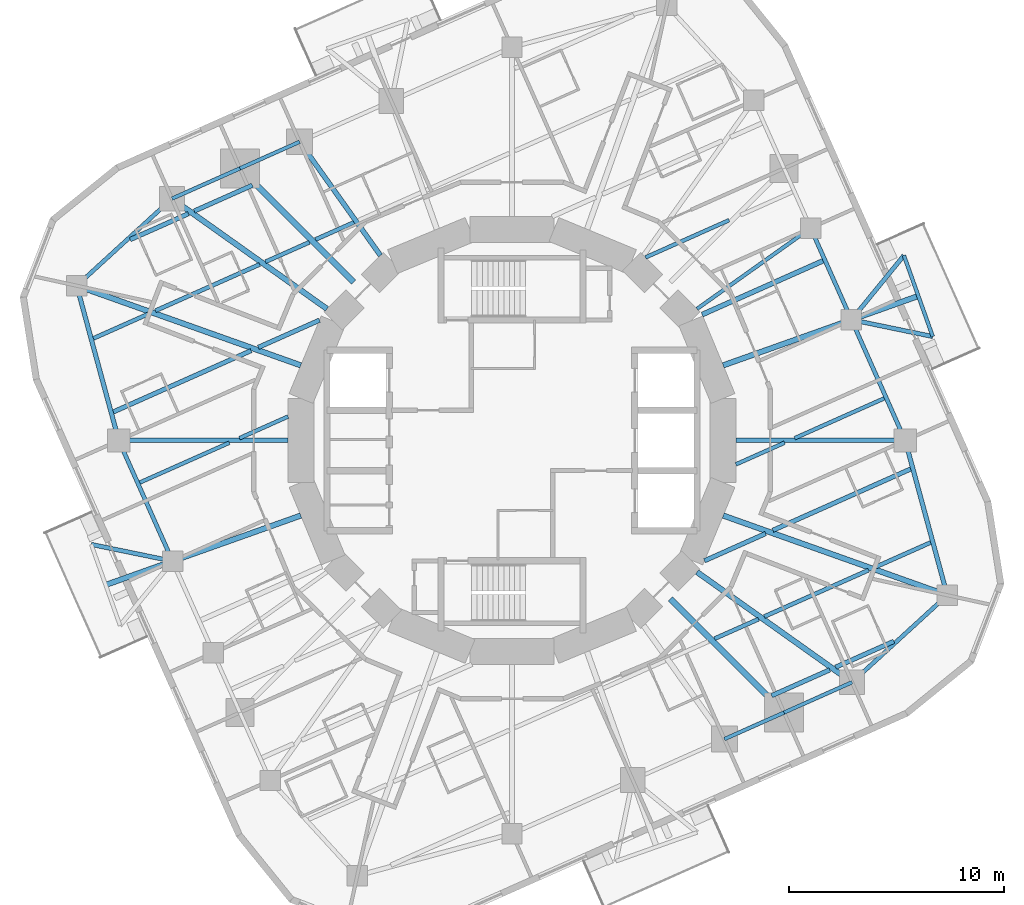
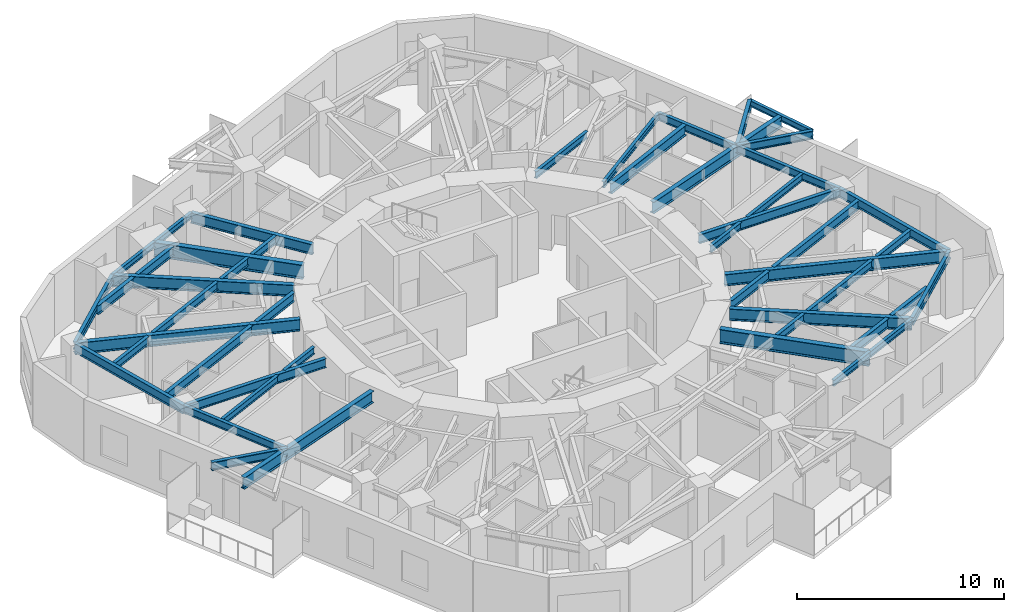
# One storey, part 2 of 12: 48 beams.
"""IFC4 building model written with IfcOpenShell, lengths in metres."""

from ifc_helpers import new_model, si_unit, direction, frame, origin, origin_2d, place, context, subcontext, project, spatial, i_section, extrude, material, material_profile, profile_set, type_object, element, save


model = new_model("IFC4")

# Units and contexts
model_context = context("Model", 3, precision=1e-05, world=origin(), true_north=direction((0.0, 1.0)))
body_context = subcontext(model_context, "Body", "Model", "MODEL_VIEW")
ifc_project = project(units=[si_unit("LENGTHUNIT", "METRE"), si_unit("AREAUNIT", "SQUARE_METRE"), si_unit("VOLUMEUNIT", "CUBIC_METRE"), si_unit("PLANEANGLEUNIT", "RADIAN"), si_unit("MASSUNIT", "GRAM", prefix="KILO")], contexts=[model_context])

# Site, building, storey
site_placement = place(None, origin())
site = spatial("IfcSite", under=ifc_project, at=site_placement, CompositionType="ELEMENT")
building_placement = place(site_placement, origin())
building = spatial("IfcBuilding", under=site, at=building_placement, Name="Nakasero Lantern House", CompositionType="ELEMENT")
storey_placement = place(building_placement, frame((0.0, 0.0, 205.550048828125)))
storey = spatial("IfcBuildingStorey", under=building, at=storey_placement, Name="L50", CompositionType="ELEMENT", Elevation=205.550048828125)

# Beams
ifc_material_1 = material(Name="Steel S355", Category="steel")
ifc_material_profile_1 = material_profile(ifc_material_1, i_section(OverallWidth=0.199462890625, OverallDepth=0.491943359375, WebThickness=0.01806640625, FlangeThickness=0.031982421875, FilletRadius=0.01025390625, at=origin_2d()), Name="UB 457x191x161")
ifc_profile_set_1 = profile_set([ifc_material_profile_1], Name="Steel S355")
beam_type_1 = type_object("IfcBeamType", Name="Balcony splay beam UB 457x191x161", PredefinedType="BEAM", material=ifc_profile_set_1)
beam_1_placement = place(storey_placement, frame((15.781982421875, 5.611328125, 3.404052734375), z_axis=(0.632165712937, 0.774833215206, 0.0), x_axis=(-0.774833215206, 0.632165712937, 0.0)))
element("IfcBeam", 1, at=beam_1_placement, inside=storey, type_object=beam_type_1, Name="Balcony splay beam L51 B5-C04A", PredefinedType="BEAM", context=body_context, shape_type="SweptSolid", body=[
    extrude(i_section(OverallWidth=0.199462890625, OverallDepth=0.491943359375, WebThickness=0.01806640625, FlangeThickness=0.031982421875, FilletRadius=0.01025390625, at=origin_2d()), origin(), (0.0, 0.0, 1.0), 3.85888671875),
])
for number, where, z_axis, x_axis, name in (
    (2, (15.781982421875, 5.611328125, 3.404052734375), (0.979420272605, -0.201831438605, 0.0), (0.201831438605, 0.979420272605, 0.0), "Balcony splay beam L51 B5-C04B"),
    (3, (-15.781982421875, -5.611328125, 3.404052734375), (-0.979420272605, 0.201831438605, 0.0), (-0.201831438605, -0.979420272605, 0.0), "Balcony splay beam L51 B5-C16B"),
):
    element("IfcBeam", number, at=place(storey_placement, frame(where, z_axis=z_axis, x_axis=x_axis)), inside=storey, type_object=beam_type_1, Name=name, PredefinedType="BEAM", context=body_context, shape_type="SweptSolid", body=[
        extrude(i_section(OverallWidth=0.199462890625, OverallDepth=0.491943359375, WebThickness=0.01806640625, FlangeThickness=0.031982421875, FilletRadius=0.01025390625, at=origin_2d()), origin(), (0.0, 0.0, 1.0), 3.858642578125),
    ])
ifc_material_2 = material(Name="Steel S355", Category="steel")
ifc_material_profile_2 = material_profile(ifc_material_2, i_section(OverallWidth=0.17138671875, OverallDepth=0.35498046875, WebThickness=0.00732421875, FlangeThickness=0.011474609375, FilletRadius=0.01025390625, at=origin_2d()), Name="UB 356x171x51")
ifc_profile_set_2 = profile_set([ifc_material_profile_2], Name="Steel S355")
beam_type_2 = type_object("IfcBeamType", Name="Balcony tie beam UB 356x171x51", PredefinedType="BEAM", material=ifc_profile_set_2)
beam_2_placement = place(storey_placement, frame((18.221435546875, 8.601318359375, 3.472412109375), z_axis=(0.334971134582, -0.94222839004, 0.0), x_axis=(0.94222839004, 0.334971134582, 0.0)))
element("IfcBeam", 4, at=beam_2_placement, inside=storey, type_object=beam_type_2, Name="Balcony tie beam L51 B5-C04", PredefinedType="BEAM", context=body_context, shape_type="SweptSolid", body=[
    extrude(i_section(OverallWidth=0.17138671875, OverallDepth=0.35498046875, WebThickness=0.00732421875, FlangeThickness=0.011474609375, FilletRadius=0.01025390625, at=origin_2d()), origin(), (0.0, 0.0, 1.0), 4.0),
])
ifc_material_3 = material(Name="Steel S355", Category="steel")
ifc_material_profile_3 = material_profile(ifc_material_3, i_section(OverallWidth=0.177978515625, OverallDepth=0.406494140625, WebThickness=0.0078125, FlangeThickness=0.0126953125, FilletRadius=0.01025390625, at=origin_2d()), Name="UB 406x178x60")
ifc_profile_set_3 = profile_set([ifc_material_profile_3], Name="Steel S355")
beam_type_3 = type_object("IfcBeamType", Name="Infill beam UB 406x178x60", PredefinedType="JOIST", material=ifc_profile_set_3)
beam_3_placement = place(storey_placement, frame((10.407958984375, -1.113037109375, 3.44677734375), z_axis=(0.913531019811, 0.406769069427, 0.0), x_axis=(-0.406769069427, 0.913531019811, 0.0)))
element("IfcBeam", 5, at=beam_3_placement, inside=storey, type_object=beam_type_3, Name="Infill beam L51 06.3", PredefinedType="JOIST", context=body_context, shape_type="SweptSolid", body=[
    extrude(i_section(OverallWidth=0.177978515625, OverallDepth=0.406494140625, WebThickness=0.0078125, FlangeThickness=0.0126953125, FilletRadius=0.01025390625, at=origin_2d()), origin(), (0.0, 0.0, 1.0), 2.478271484375),
])
for number, where, z_axis, x_axis, name in (
    (6, (13.1435546875, 0.10498046875, 3.44677734375), (0.913537236337, 0.406755107929, 0.0), (-0.406755107929, 0.913537236337, 0.0), "Infill beam L51 06.4"),
    (7, (-17.30419921875, -1.95751953125, 3.44677734375), (0.913537236337, 0.406755107929, 0.0), (-0.406755107929, 0.913537236337, 0.0), "Infill beam L51 09.1"),
):
    element("IfcBeam", number, at=place(storey_placement, frame(where, z_axis=z_axis, x_axis=x_axis)), inside=storey, type_object=beam_type_3, Name=name, PredefinedType="JOIST", context=body_context, shape_type="SweptSolid", body=[
        extrude(i_section(OverallWidth=0.177978515625, OverallDepth=0.406494140625, WebThickness=0.0078125, FlangeThickness=0.0126953125, FilletRadius=0.01025390625, at=origin_2d()), origin(), (0.0, 0.0, 1.0), 4.554443359375),
    ])
beam_4_placement = place(storey_placement, frame((-12.671875, 0.10498046875, 3.44677734375), z_axis=(0.913531019811, 0.406769069427, 0.0), x_axis=(-0.406769069427, 0.913531019811, 0.0)))
element("IfcBeam", 8, at=beam_4_placement, inside=storey, type_object=beam_type_3, Name="Infill beam L51 09.2", PredefinedType="JOIST", context=body_context, shape_type="SweptSolid", body=[
    extrude(i_section(OverallWidth=0.177978515625, OverallDepth=0.406494140625, WebThickness=0.0078125, FlangeThickness=0.0126953125, FilletRadius=0.01025390625, at=origin_2d()), origin(), (0.0, 0.0, 1.0), 2.478271484375),
])
beam_5_placement = place(storey_placement, frame((6.2080078125, 8.5107421875, 3.44677734375), z_axis=(0.91354134882, 0.406745871517, 0.0), x_axis=(-0.406745871517, 0.91354134882, 0.0)))
element("IfcBeam", 9, at=beam_5_placement, inside=storey, type_object=beam_type_3, Name="Infill beam L51 09.3", PredefinedType="JOIST", context=body_context, shape_type="SweptSolid", body=[
    extrude(i_section(OverallWidth=0.177978515625, OverallDepth=0.406494140625, WebThickness=0.0078125, FlangeThickness=0.0126953125, FilletRadius=0.01025390625, at=origin_2d()), origin(), (0.0, 0.0, 1.0), 4.250732421875),
])
ifc_material_4 = material(Name="Steel S355", Category="steel")
ifc_material_profile_4 = material_profile(ifc_material_4, i_section(OverallWidth=0.18994140625, OverallDepth=0.453369140625, WebThickness=0.008544921875, FlangeThickness=0.0126953125, FilletRadius=0.01025390625, at=origin_2d()), Name="UB 457x191x67")
ifc_profile_set_4 = profile_set([ifc_material_profile_4], Name="Steel S355")
beam_type_4 = type_object("IfcBeamType", Name="Infill beam UB 457x191x67", PredefinedType="JOIST", material=ifc_profile_set_4)
beam_6_placement = place(storey_placement, frame((9.42138671875, -9.214599609375, 3.42333984375), z_axis=(0.913536363976, 0.406757067172, 0.0), x_axis=(-0.406757067172, 0.913536363976, 0.0)))
element("IfcBeam", 10, at=beam_6_placement, inside=storey, type_object=beam_type_4, Name="Infill beam L51 04.6", PredefinedType="JOIST", context=body_context, shape_type="SweptSolid", body=[
    extrude(i_section(OverallWidth=0.18994140625, OverallDepth=0.453369140625, WebThickness=0.008544921875, FlangeThickness=0.0126953125, FilletRadius=0.01025390625, at=origin_2d()), origin(), (0.0, 0.0, 1.0), 2.2333984375),
])
beam_7_placement = place(storey_placement, frame((11.73095703125, -8.186279296875, 3.42333984375), z_axis=(0.913558956665, 0.406706322421, 0.0), x_axis=(-0.406706322421, 0.913558956665, 0.0)))
element("IfcBeam", 11, at=beam_7_placement, inside=storey, type_object=beam_type_4, Name="Infill beam L51 04.7", PredefinedType="JOIST", context=body_context, shape_type="SweptSolid", body=[
    extrude(i_section(OverallWidth=0.18994140625, OverallDepth=0.453369140625, WebThickness=0.008544921875, FlangeThickness=0.0126953125, FilletRadius=0.01025390625, at=origin_2d()), origin(), (0.0, 0.0, 1.0), 5.3046875),
])
for number, where, z_axis, x_axis, name in (
    (12, (16.913330078125, -5.87890625, 3.42333984375), (0.913540637242, 0.4067474697, 0.0), (-0.4067474697, 0.913540637242, 0.0), "Infill beam L51 04.8"),
    (13, (-19.46142578125, 4.744384765625, 3.42333984375), (0.913540637242, 0.4067474697, 0.0), (-0.4067474697, 0.913540637242, 0.0), "Infill beam L51 11.1"),
):
    element("IfcBeam", number, at=place(storey_placement, frame(where, z_axis=z_axis, x_axis=x_axis)), inside=storey, type_object=beam_type_4, Name=name, PredefinedType="JOIST", context=body_context, shape_type="SweptSolid", body=[
        extrude(i_section(OverallWidth=0.18994140625, OverallDepth=0.453369140625, WebThickness=0.008544921875, FlangeThickness=0.0126953125, FilletRadius=0.01025390625, at=origin_2d()), origin(), (0.0, 0.0, 1.0), 2.789306640625),
    ])
beam_8_placement = place(storey_placement, frame((-16.5771484375, 6.02880859375, 3.42333984375), z_axis=(0.913558956665, 0.406706322421, 0.0), x_axis=(-0.406706322421, 0.913558956665, 0.0)))
element("IfcBeam", 14, at=beam_8_placement, inside=storey, type_object=beam_type_4, Name="Infill beam L51 11.2", PredefinedType="JOIST", context=body_context, shape_type="SweptSolid", body=[
    extrude(i_section(OverallWidth=0.18994140625, OverallDepth=0.453369140625, WebThickness=0.008544921875, FlangeThickness=0.0126953125, FilletRadius=0.01025390625, at=origin_2d()), origin(), (0.0, 0.0, 1.0), 5.3046875),
])
beam_9_placement = place(storey_placement, frame((-11.461669921875, 8.30615234375, 3.42333984375), z_axis=(0.913536363976, 0.406757067172, 0.0), x_axis=(-0.406757067172, 0.913536363976, 0.0)))
element("IfcBeam", 15, at=beam_9_placement, inside=storey, type_object=beam_type_4, Name="Infill beam L51 11.3", PredefinedType="JOIST", context=body_context, shape_type="SweptSolid", body=[
    extrude(i_section(OverallWidth=0.18994140625, OverallDepth=0.453369140625, WebThickness=0.008544921875, FlangeThickness=0.0126953125, FilletRadius=0.01025390625, at=origin_2d()), origin(), (0.0, 0.0, 1.0), 2.2333984375),
])
beam_10_placement = place(storey_placement, frame((-9.13525390625, 9.342041015625, 3.42333984375), z_axis=(0.913559054833, 0.406706101912, 0.0), x_axis=(-0.406706101912, 0.913559054833, 0.0)))
element("IfcBeam", 16, at=beam_10_placement, inside=storey, type_object=beam_type_4, Name="Infill beam L51 11.4", PredefinedType="JOIST", context=body_context, shape_type="SweptSolid", body=[
    extrude(i_section(OverallWidth=0.18994140625, OverallDepth=0.453369140625, WebThickness=0.008544921875, FlangeThickness=0.0126953125, FilletRadius=0.01025390625, at=origin_2d()), origin(), (0.0, 0.0, 1.0), 1.955078125),
])
ifc_material_5 = material(Name="Steel S355", Category="steel")
ifc_material_profile_5 = material_profile(ifc_material_5, i_section(OverallWidth=0.2099609375, OverallDepth=0.53662109375, WebThickness=0.0107421875, FlangeThickness=0.017333984375, FilletRadius=0.0126953125, at=origin_2d()), Name="UB 533x210x101")
ifc_profile_set_5 = profile_set([ifc_material_profile_5], Name="Steel S355")
beam_type_5 = type_object("IfcBeamType", Name="Infill beam UB 533x210x101", PredefinedType="JOIST", material=ifc_profile_set_5)
beam_11_placement = place(storey_placement, frame((12.072265625, -11.865478515625, 3.381591796875), z_axis=(0.913566355718, 0.406689701985, 0.0), x_axis=(-0.406689701985, 0.913566355718, 0.0)))
element("IfcBeam", 17, at=beam_11_placement, inside=storey, type_object=beam_type_5, Name="Infill beam L51 03.2", PredefinedType="JOIST", context=body_context, shape_type="SweptSolid", body=[
    extrude(i_section(OverallWidth=0.2099609375, OverallDepth=0.53662109375, WebThickness=0.0107421875, FlangeThickness=0.017333984375, FilletRadius=0.0126953125, at=origin_2d()), origin(), (0.0, 0.0, 1.0), 2.958251953125),
])
for number, where, z_axis, x_axis, name in (
    (18, (15.044189453125, -10.54248046875, 3.381591796875), (0.91353278913, 0.406765095827, 0.0), (-0.406765095827, 0.91353278913, 0.0), "Infill beam L51 03.3"),
    (19, (-17.751708984375, 9.3369140625, 3.381591796875), (0.91353278913, 0.406765095827, 0.0), (-0.406765095827, 0.91353278913, 0.0), "Infill beam L51 12.1"),
):
    element("IfcBeam", number, at=place(storey_placement, frame(where, z_axis=z_axis, x_axis=x_axis)), inside=storey, type_object=beam_type_5, Name=name, PredefinedType="JOIST", context=body_context, shape_type="SweptSolid", body=[
        extrude(i_section(OverallWidth=0.2099609375, OverallDepth=0.53662109375, WebThickness=0.0107421875, FlangeThickness=0.017333984375, FilletRadius=0.0126953125, at=origin_2d()), origin(), (0.0, 0.0, 1.0), 2.9638671875),
    ])
beam_12_placement = place(storey_placement, frame((-14.77490234375, 10.662353515625, 3.381591796875), z_axis=(0.913566355718, 0.406689701985, 0.0), x_axis=(-0.406689701985, 0.913566355718, 0.0)))
element("IfcBeam", 20, at=beam_12_placement, inside=storey, type_object=beam_type_5, Name="Infill beam L51 12.2", PredefinedType="JOIST", context=body_context, shape_type="SweptSolid", body=[
    extrude(i_section(OverallWidth=0.2099609375, OverallDepth=0.53662109375, WebThickness=0.0107421875, FlangeThickness=0.017333984375, FilletRadius=0.0126953125, at=origin_2d()), origin(), (0.0, 0.0, 1.0), 2.958251953125),
])
ifc_material_6 = material(Name="Steel S355", Category="steel")
ifc_material_profile_6 = material_profile(ifc_material_6, i_section(OverallWidth=0.208740234375, OverallDepth=0.5283203125, WebThickness=0.009521484375, FlangeThickness=0.01318359375, FilletRadius=0.0126953125, at=origin_2d()), Name="UB 533x210x82")
ifc_profile_set_6 = profile_set([ifc_material_profile_6], Name="Steel S355")
beam_type_6 = type_object("IfcBeamType", Name="Infill beam UB 533x210x82", PredefinedType="JOIST", material=ifc_profile_set_6)
beam_13_placement = place(storey_placement, frame((8.9482421875, -5.593994140625, 3.3857421875), z_axis=(0.913555928833, 0.406713123582, 0.0), x_axis=(-0.406713123582, 0.913555928833, 0.0)))
element("IfcBeam", 21, at=beam_13_placement, inside=storey, type_object=beam_type_6, Name="Infill beam L51 05.4", PredefinedType="JOIST", context=body_context, shape_type="SweptSolid", body=[
    extrude(i_section(OverallWidth=0.208740234375, OverallDepth=0.5283203125, WebThickness=0.009521484375, FlangeThickness=0.01318359375, FilletRadius=0.0126953125, at=origin_2d()), origin(), (0.0, 0.0, 1.0), 3.113525390625),
])
for number, where, z_axis, x_axis, name in (
    (22, (12.12890625, -4.177978515625, 3.3857421875), (0.913537025225, 0.406755582067, 0.0), (-0.406755582067, 0.913537025225, 0.0), "Infill beam L51 05.5"),
    (23, (-18.53271484375, 1.32666015625, 3.3857421875), (0.913537025225, 0.406755582067, 0.0), (-0.406755582067, 0.913537025225, 0.0), "Infill beam L51 10.1"),
):
    element("IfcBeam", number, at=place(storey_placement, frame(where, z_axis=z_axis, x_axis=x_axis)), inside=storey, type_object=beam_type_6, Name=name, PredefinedType="JOIST", context=body_context, shape_type="SweptSolid", body=[
        extrude(i_section(OverallWidth=0.208740234375, OverallDepth=0.5283203125, WebThickness=0.009521484375, FlangeThickness=0.01318359375, FilletRadius=0.0126953125, at=origin_2d()), origin(), (0.0, 0.0, 1.0), 7.010009765625),
    ])
beam_14_placement = place(storey_placement, frame((-11.792724609375, 4.32763671875, 3.3857421875), z_axis=(0.913555928833, 0.406713123582, 0.0), x_axis=(-0.406713123582, 0.913555928833, 0.0)))
element("IfcBeam", 24, at=beam_14_placement, inside=storey, type_object=beam_type_6, Name="Infill beam L51 10.2", PredefinedType="JOIST", context=body_context, shape_type="SweptSolid", body=[
    extrude(i_section(OverallWidth=0.208740234375, OverallDepth=0.5283203125, WebThickness=0.009521484375, FlangeThickness=0.01318359375, FilletRadius=0.0126953125, at=origin_2d()), origin(), (0.0, 0.0, 1.0), 3.113525390625),
])
ifc_material_7 = material(Name="Steel S355", Category="steel")
ifc_material_profile_7 = material_profile(ifc_material_7, i_section(OverallWidth=0.22900390625, OverallDepth=0.6123046875, WebThickness=0.011962890625, FlangeThickness=0.01953125, FilletRadius=0.0126953125, at=origin_2d()), Name="UB 610x229x125")
ifc_profile_set_7 = profile_set([ifc_material_profile_7], Name="Steel S355")
beam_type_7 = type_object("IfcBeamType", Name="Infill beam UB 610x229x125", PredefinedType="JOIST", material=ifc_profile_set_7)
beam_15_placement = place(storey_placement, frame((8.84130859375, 5.85205078125, 3.34375), z_axis=(0.913552627294, 0.406720539393, 0.0), x_axis=(-0.406720539393, 0.913552627294, 0.0)))
element("IfcBeam", 25, at=beam_15_placement, inside=storey, type_object=beam_type_7, Name="Infill beam L51 08.1", PredefinedType="JOIST", context=body_context, shape_type="SweptSolid", body=[
    extrude(i_section(OverallWidth=0.22900390625, OverallDepth=0.6123046875, WebThickness=0.011962890625, FlangeThickness=0.01953125, FilletRadius=0.0126953125, at=origin_2d()), origin(), (0.0, 0.0, 1.0), 6.14794921875),
])
ifc_material_8 = material(Name="Steel S355", Category="steel")
ifc_material_profile_8 = material_profile(ifc_material_8, i_section(OverallWidth=0.17138671875, OverallDepth=0.35498046875, WebThickness=0.00732421875, FlangeThickness=0.011474609375, FilletRadius=0.01025390625, at=origin_2d()), Name="UB 356x171x51")
ifc_profile_set_8 = profile_set([ifc_material_profile_8], Name="Steel S355")
beam_type_8 = type_object("IfcBeamType", Name="Primary beam UB 356x171x51, span 6 to 9 m", PredefinedType="BEAM", material=ifc_profile_set_8)
beam_16_placement = place(storey_placement, frame((13.884521484375, 9.87353515625, 3.472412109375), z_axis=(-0.8149430702, -0.57954101868, 0.0), x_axis=(0.57954101868, -0.8149430702, 0.0)))
element("IfcBeam", 26, at=beam_16_placement, inside=storey, type_object=beam_type_8, Name="Primary beam L51 B5-C05", PredefinedType="BEAM", context=body_context, shape_type="SweptSolid", body=[
    extrude(i_section(OverallWidth=0.17138671875, OverallDepth=0.35498046875, WebThickness=0.00732421875, FlangeThickness=0.011474609375, FilletRadius=0.01025390625, at=origin_2d()), origin(), (0.0, 0.0, 1.0), 6.48193359375),
])
ifc_material_9 = material(Name="Steel S355", Category="steel")
ifc_material_profile_9 = material_profile(ifc_material_9, i_section(OverallWidth=0.2099609375, OverallDepth=0.53662109375, WebThickness=0.0107421875, FlangeThickness=0.017333984375, FilletRadius=0.0126953125, at=origin_2d()), Name="UB 533x210x101")
ifc_profile_set_9 = profile_set([ifc_material_profile_9], Name="Steel S355")
beam_type_9 = type_object("IfcBeamType", Name="Primary beam UB 533x210x101, span 6 to 9 m", PredefinedType="BEAM", material=ifc_profile_set_9)
for number, where, z_axis, x_axis, name in (
    (27, (18.280517578125, 0.0, 3.381591796875), (-1.0, 0.0, 0.0), (0.0, -1.0, 0.0), "Primary beam L51 B5-C03"),
    (28, (-18.280517578125, 0.0, 3.381591796875), (1.0, 0.0, 0.0), (0.0, 1.0, 0.0), "Primary beam L51 B5-C15"),
):
    element("IfcBeam", number, at=place(storey_placement, frame(where, z_axis=z_axis, x_axis=x_axis)), inside=storey, type_object=beam_type_9, Name=name, PredefinedType="BEAM", context=body_context, shape_type="SweptSolid", body=[
        extrude(i_section(OverallWidth=0.2099609375, OverallDepth=0.53662109375, WebThickness=0.0107421875, FlangeThickness=0.017333984375, FilletRadius=0.0126953125, at=origin_2d()), origin(), (0.0, 0.0, 1.0), 7.87255859375),
    ])
ifc_material_10 = material(Name="Steel S355", Category="steel")
ifc_material_profile_10 = material_profile(ifc_material_10, i_section(OverallWidth=0.22900390625, OverallDepth=0.6123046875, WebThickness=0.011962890625, FlangeThickness=0.01953125, FilletRadius=0.0126953125, at=origin_2d()), Name="UB 610x229x125")
ifc_profile_set_10 = profile_set([ifc_material_profile_10], Name="Steel S355")
beam_type_10 = type_object("IfcBeamType", Name="Primary beam UB 610x229x125, span 6 to 9 m", PredefinedType="BEAM", material=ifc_profile_set_10)
beam_17_placement = place(storey_placement, frame((-9.87353515625, 13.884521484375, 3.34375), z_axis=(0.57954101868, -0.8149430702, 0.0), x_axis=(0.8149430702, 0.57954101868, 0.0)))
element("IfcBeam", 29, at=beam_17_placement, inside=storey, type_object=beam_type_10, Name="Primary beam L51 B5-C11", PredefinedType="BEAM", context=body_context, shape_type="SweptSolid", body=[
    extrude(i_section(OverallWidth=0.22900390625, OverallDepth=0.6123046875, WebThickness=0.011962890625, FlangeThickness=0.01953125, FilletRadius=0.0126953125, at=origin_2d()), origin(), (0.0, 0.0, 1.0), 6.48193359375),
])
ifc_material_11 = material(Name="Steel S355", Category="steel")
ifc_material_profile_11 = material_profile(ifc_material_11, i_section(OverallWidth=0.253662109375, OverallDepth=0.68359375, WebThickness=0.012451171875, FlangeThickness=0.01904296875, FilletRadius=0.01513671875, at=origin_2d()), Name="UB 686x254x140")
ifc_profile_set_11 = profile_set([ifc_material_profile_11], Name="Steel S355")
beam_type_11 = type_object("IfcBeamType", Name="Primary beam UB 686x254x140, span 6 to 9 m", PredefinedType="BEAM", material=ifc_profile_set_11)
beam_18_placement = place(storey_placement, frame((15.808837890625, -11.241943359375, 3.30810546875), z_axis=(-0.814946052543, 0.579536824926, 0.0), x_axis=(-0.579536824926, -0.814946052543, 0.0)))
element("IfcBeam", 30, at=beam_18_placement, inside=storey, type_object=beam_type_11, Name="Primary beam L51 B5-C01", PredefinedType="BEAM", context=body_context, shape_type="SweptSolid", body=[
    extrude(i_section(OverallWidth=0.253662109375, OverallDepth=0.68359375, WebThickness=0.012451171875, FlangeThickness=0.01904296875, FilletRadius=0.01513671875, at=origin_2d()), origin(), (0.0, 0.0, 1.0), 8.84326171875),
])
beam_19_placement = place(storey_placement, frame((18.891357421875, 6.717041015625, 3.30810546875), z_axis=(-0.942207397814, -0.335030177005, 0.0), x_axis=(0.335030177005, -0.942207397814, 0.0)))
element("IfcBeam", 31, at=beam_19_placement, inside=storey, type_object=beam_type_11, Name="Primary beam L51 B5-C04", PredefinedType="BEAM", context=body_context, shape_type="SweptSolid", body=[
    extrude(i_section(OverallWidth=0.253662109375, OverallDepth=0.68359375, WebThickness=0.012451171875, FlangeThickness=0.01904296875, FilletRadius=0.01513671875, at=origin_2d()), origin(), (0.0, 0.0, 1.0), 9.62841796875),
])
beam_20_placement = place(storey_placement, frame((-15.808837890625, 11.241943359375, 3.30810546875), z_axis=(0.814946052543, -0.579536824926, 0.0), x_axis=(0.579536824926, 0.814946052543, 0.0)))
element("IfcBeam", 32, at=beam_20_placement, inside=storey, type_object=beam_type_11, Name="Primary beam L51 B5-C13", PredefinedType="BEAM", context=body_context, shape_type="SweptSolid", body=[
    extrude(i_section(OverallWidth=0.253662109375, OverallDepth=0.68359375, WebThickness=0.012451171875, FlangeThickness=0.01904296875, FilletRadius=0.01513671875, at=origin_2d()), origin(), (0.0, 0.0, 1.0), 8.84326171875),
])
beam_21_placement = place(storey_placement, frame((-18.891357421875, -6.717041015625, 3.30810546875), z_axis=(0.942207397814, 0.335030177005, 0.0), x_axis=(-0.335030177005, 0.942207397814, 0.0)))
element("IfcBeam", 33, at=beam_21_placement, inside=storey, type_object=beam_type_11, Name="Primary beam L51 B5-C16", PredefinedType="BEAM", context=body_context, shape_type="SweptSolid", body=[
    extrude(i_section(OverallWidth=0.253662109375, OverallDepth=0.68359375, WebThickness=0.012451171875, FlangeThickness=0.01904296875, FilletRadius=0.01513671875, at=origin_2d()), origin(), (0.0, 0.0, 1.0), 9.62841796875),
])
ifc_material_12 = material(Name="Steel S355", Category="steel")
ifc_material_profile_12 = material_profile(ifc_material_12, i_section(OverallWidth=0.253662109375, OverallDepth=0.68359375, WebThickness=0.012451171875, FlangeThickness=0.01904296875, FilletRadius=0.01513671875, at=origin_2d()), Name="UB 686x254x140")
ifc_profile_set_12 = profile_set([ifc_material_profile_12], Name="Steel S355")
beam_type_12 = type_object("IfcBeamType", Name="Primary beam UB 686x254x140, span 9 to 12 m", PredefinedType="BEAM", material=ifc_profile_set_12)
for number, where, z_axis, x_axis, name in (
    (34, (20.2353515625, -7.19482421875, 3.30810546875), (-0.942210662535, 0.335020995468, 0.0), (-0.335020995468, -0.942210662535, 0.0), "Primary beam L51 B5-C02"),
    (35, (-20.2353515625, 7.19482421875, 3.30810546875), (0.942210662535, -0.335020995468, 0.0), (0.335020995468, 0.942210662535, 0.0), "Primary beam L51 B5-C14"),
):
    element("IfcBeam", number, at=place(storey_placement, frame(where, z_axis=z_axis, x_axis=x_axis)), inside=storey, type_object=beam_type_12, Name=name, PredefinedType="BEAM", context=body_context, shape_type="SweptSolid", body=[
        extrude(i_section(OverallWidth=0.253662109375, OverallDepth=0.68359375, WebThickness=0.012451171875, FlangeThickness=0.01904296875, FilletRadius=0.01513671875, at=origin_2d()), origin(), (0.0, 0.0, 1.0), 11.054931640625),
    ])
ifc_material_13 = material(Name="Steel S355", Category="steel")
ifc_material_profile_13 = material_profile(ifc_material_13, i_section(OverallWidth=0.29248046875, OverallDepth=0.8408203125, WebThickness=0.0146484375, FlangeThickness=0.02685546875, FilletRadius=0.017822265625, at=origin_2d()), Name="UB 838x292x194")
ifc_profile_set_13 = profile_set([ifc_material_profile_13], Name="Steel S355")
beam_type_13 = type_object("IfcBeamType", Name="Primary beam UB 838x292x194, span 6 to 9 m", PredefinedType="BEAM", material=ifc_profile_set_13)
for number, where, z_axis, x_axis, name in (
    (36, (-12.64892578125, 12.64892578125, 3.2294921875), (0.707106781187, -0.707106781187, 0.0), (0.707106781187, 0.707106781187, 0.0), "Primary beam L51 B5-C12"),
    (37, (12.64892578125, -12.64892578125, 3.2294921875), (-0.707106781187, 0.707106781187, 0.0), (-0.707106781187, -0.707106781187, 0.0), "Primary beam L51 B5-C24"),
):
    element("IfcBeam", number, at=place(storey_placement, frame(where, z_axis=z_axis, x_axis=x_axis)), inside=storey, type_object=beam_type_13, Name=name, PredefinedType="BEAM", context=body_context, shape_type="SweptSolid", body=[
        extrude(i_section(OverallWidth=0.29248046875, OverallDepth=0.8408203125, WebThickness=0.0146484375, FlangeThickness=0.02685546875, FilletRadius=0.017822265625, at=origin_2d()), origin(), (0.0, 0.0, 1.0), 7.48046875),
    ])
ifc_material_14 = material(Name="Steel S355", Category="steel")
ifc_material_profile_14 = material_profile(ifc_material_14, i_section(OverallWidth=0.17138671875, OverallDepth=0.35498046875, WebThickness=0.00732421875, FlangeThickness=0.011474609375, FilletRadius=0.01025390625, at=origin_2d()), Name="UB 356x171x51")
ifc_profile_set_14 = profile_set([ifc_material_profile_14], Name="Steel S355")
beam_type_14 = type_object("IfcBeamType", Name="Ring beam UB 356x171x51", PredefinedType="BEAM", material=ifc_profile_set_14)
beam_22_placement = place(storey_placement, frame((-9.87353515625, 13.884521484375, 3.472412109375), z_axis=(-0.913556197925, -0.40671251915, 0.0), x_axis=(0.40671251915, -0.913556197925, 0.0)))
element("IfcBeam", 38, at=beam_22_placement, inside=storey, type_object=beam_type_14, Name="Ring beam L51 B5-C11", PredefinedType="BEAM", context=body_context, shape_type="SweptSolid", body=[
    extrude(i_section(OverallWidth=0.17138671875, OverallDepth=0.35498046875, WebThickness=0.00732421875, FlangeThickness=0.011474609375, FilletRadius=0.01025390625, at=origin_2d()), origin(), (0.0, 0.0, 1.0), 3.0380859375),
])
beam_23_placement = place(storey_placement, frame((-12.64892578125, 12.64892578125, 3.472412109375), z_axis=(-0.913534832457, -0.406760506795, 0.0), x_axis=(0.406760506795, -0.913534832457, 0.0)))
element("IfcBeam", 39, at=beam_23_placement, inside=storey, type_object=beam_type_14, Name="Ring beam L51 B5-C12", PredefinedType="BEAM", context=body_context, shape_type="SweptSolid", body=[
    extrude(i_section(OverallWidth=0.17138671875, OverallDepth=0.35498046875, WebThickness=0.00732421875, FlangeThickness=0.011474609375, FilletRadius=0.01025390625, at=origin_2d()), origin(), (0.0, 0.0, 1.0), 3.458984375),
])
beam_24_placement = place(storey_placement, frame((9.87353515625, -13.884521484375, 3.472412109375), z_axis=(0.913556197925, 0.40671251915, 0.0), x_axis=(-0.40671251915, 0.913556197925, 0.0)))
element("IfcBeam", 40, at=beam_24_placement, inside=storey, type_object=beam_type_14, Name="Ring beam L51 B5-C23", PredefinedType="BEAM", context=body_context, shape_type="SweptSolid", body=[
    extrude(i_section(OverallWidth=0.17138671875, OverallDepth=0.35498046875, WebThickness=0.00732421875, FlangeThickness=0.011474609375, FilletRadius=0.01025390625, at=origin_2d()), origin(), (0.0, 0.0, 1.0), 3.0380859375),
])
beam_25_placement = place(storey_placement, frame((12.64892578125, -12.64892578125, 3.472412109375), z_axis=(0.913534832457, 0.406760506795, 0.0), x_axis=(-0.406760506795, 0.913534832457, 0.0)))
element("IfcBeam", 41, at=beam_25_placement, inside=storey, type_object=beam_type_14, Name="Ring beam L51 B5-C24", PredefinedType="BEAM", context=body_context, shape_type="SweptSolid", body=[
    extrude(i_section(OverallWidth=0.17138671875, OverallDepth=0.35498046875, WebThickness=0.00732421875, FlangeThickness=0.011474609375, FilletRadius=0.01025390625, at=origin_2d()), origin(), (0.0, 0.0, 1.0), 3.458984375),
])
ifc_material_15 = material(Name="Steel S355", Category="steel")
ifc_material_profile_15 = material_profile(ifc_material_15, i_section(OverallWidth=0.18994140625, OverallDepth=0.453369140625, WebThickness=0.008544921875, FlangeThickness=0.0126953125, FilletRadius=0.01025390625, at=origin_2d()), Name="UB 457x191x67")
ifc_profile_set_15 = profile_set([ifc_material_profile_15], Name="Steel S355")
beam_type_15 = type_object("IfcBeamType", Name="Ring beam UB 457x191x67", PredefinedType="BEAM", material=ifc_profile_set_15)
beam_26_placement = place(storey_placement, frame((15.808837890625, -11.241943359375, 3.42333984375), z_axis=(0.73802707447, 0.674771099966, 0.0), x_axis=(-0.674771099966, 0.73802707447, 0.0)))
element("IfcBeam", 42, at=beam_26_placement, inside=storey, type_object=beam_type_15, Name="Ring beam L51 B5-C01", PredefinedType="BEAM", context=body_context, shape_type="SweptSolid", body=[
    extrude(i_section(OverallWidth=0.18994140625, OverallDepth=0.453369140625, WebThickness=0.008544921875, FlangeThickness=0.0126953125, FilletRadius=0.01025390625, at=origin_2d()), origin(), (0.0, 0.0, 1.0), 5.997802734375),
])
beam_27_placement = place(storey_placement, frame((15.781982421875, 5.611328125, 3.42333984375), z_axis=(-0.406701600856, 0.913561058639, 0.0), x_axis=(-0.913561058639, -0.406701600856, 0.0)))
element("IfcBeam", 43, at=beam_27_placement, inside=storey, type_object=beam_type_15, Name="Ring beam L51 B5-C04", PredefinedType="BEAM", context=body_context, shape_type="SweptSolid", body=[
    extrude(i_section(OverallWidth=0.18994140625, OverallDepth=0.453369140625, WebThickness=0.008544921875, FlangeThickness=0.0126953125, FilletRadius=0.01025390625, at=origin_2d()), origin(), (0.0, 0.0, 1.0), 4.66552734375),
])
beam_28_placement = place(storey_placement, frame((-15.808837890625, 11.241943359375, 3.42333984375), z_axis=(-0.73802707447, -0.674771099966, 0.0), x_axis=(0.674771099966, -0.73802707447, 0.0)))
element("IfcBeam", 44, at=beam_28_placement, inside=storey, type_object=beam_type_15, Name="Ring beam L51 B5-C13", PredefinedType="BEAM", context=body_context, shape_type="SweptSolid", body=[
    extrude(i_section(OverallWidth=0.18994140625, OverallDepth=0.453369140625, WebThickness=0.008544921875, FlangeThickness=0.0126953125, FilletRadius=0.01025390625, at=origin_2d()), origin(), (0.0, 0.0, 1.0), 5.997802734375),
])
ifc_material_16 = material(Name="Steel S355", Category="steel")
ifc_material_profile_16 = material_profile(ifc_material_16, i_section(OverallWidth=0.19140625, OverallDepth=0.4599609375, WebThickness=0.010009765625, FlangeThickness=0.01611328125, FilletRadius=0.01025390625, at=origin_2d()), Name="UB 457x191x82")
ifc_profile_set_16 = profile_set([ifc_material_profile_16], Name="Steel S355")
beam_type_16 = type_object("IfcBeamType", Name="Ring beam UB 457x191x82", PredefinedType="BEAM", material=ifc_profile_set_16)
for number, where, z_axis, x_axis, name in (
    (45, (18.280517578125, 0.0, 3.419921875), (-0.406765299215, 0.913532698569, 0.0), (-0.913532698569, -0.406765299215, 0.0), "Ring beam L51 B5-C03"),
    (46, (-18.280517578125, 0.0, 3.419921875), (0.406765299215, -0.913532698569, 0.0), (0.913532698569, 0.406765299215, 0.0), "Ring beam L51 B5-C15"),
):
    element("IfcBeam", number, at=place(storey_placement, frame(where, z_axis=z_axis, x_axis=x_axis)), inside=storey, type_object=beam_type_16, Name=name, PredefinedType="BEAM", context=body_context, shape_type="SweptSolid", body=[
        extrude(i_section(OverallWidth=0.19140625, OverallDepth=0.4599609375, WebThickness=0.010009765625, FlangeThickness=0.01611328125, FilletRadius=0.01025390625, at=origin_2d()), origin(), (0.0, 0.0, 1.0), 6.142333984375),
    ])
ifc_material_17 = material(Name="Steel S355", Category="steel")
ifc_material_profile_17 = material_profile(ifc_material_17, i_section(OverallWidth=0.208740234375, OverallDepth=0.5283203125, WebThickness=0.009521484375, FlangeThickness=0.01318359375, FilletRadius=0.0126953125, at=origin_2d()), Name="UB 533x210x82")
ifc_profile_set_17 = profile_set([ifc_material_profile_17], Name="Steel S355")
beam_type_17 = type_object("IfcBeamType", Name="Ring beam UB 533x210x82", PredefinedType="BEAM", material=ifc_profile_set_17)
for number, where, z_axis, x_axis, name in (
    (47, (20.2353515625, -7.19482421875, 3.3857421875), (-0.26219461312, 0.965015017941, 0.0), (-0.965015017941, -0.26219461312, 0.0), "Ring beam L51 B5-C02"),
    (48, (-20.2353515625, 7.19482421875, 3.3857421875), (0.26219461312, -0.965015017941, 0.0), (0.965015017941, 0.26219461312, 0.0), "Ring beam L51 B5-C14"),
):
    element("IfcBeam", number, at=place(storey_placement, frame(where, z_axis=z_axis, x_axis=x_axis)), inside=storey, type_object=beam_type_17, Name=name, PredefinedType="BEAM", context=body_context, shape_type="SweptSolid", body=[
        extrude(i_section(OverallWidth=0.208740234375, OverallDepth=0.5283203125, WebThickness=0.009521484375, FlangeThickness=0.01318359375, FilletRadius=0.0126953125, at=origin_2d()), origin(), (0.0, 0.0, 1.0), 7.45556640625),
    ])

save(model, "model.ifc")
